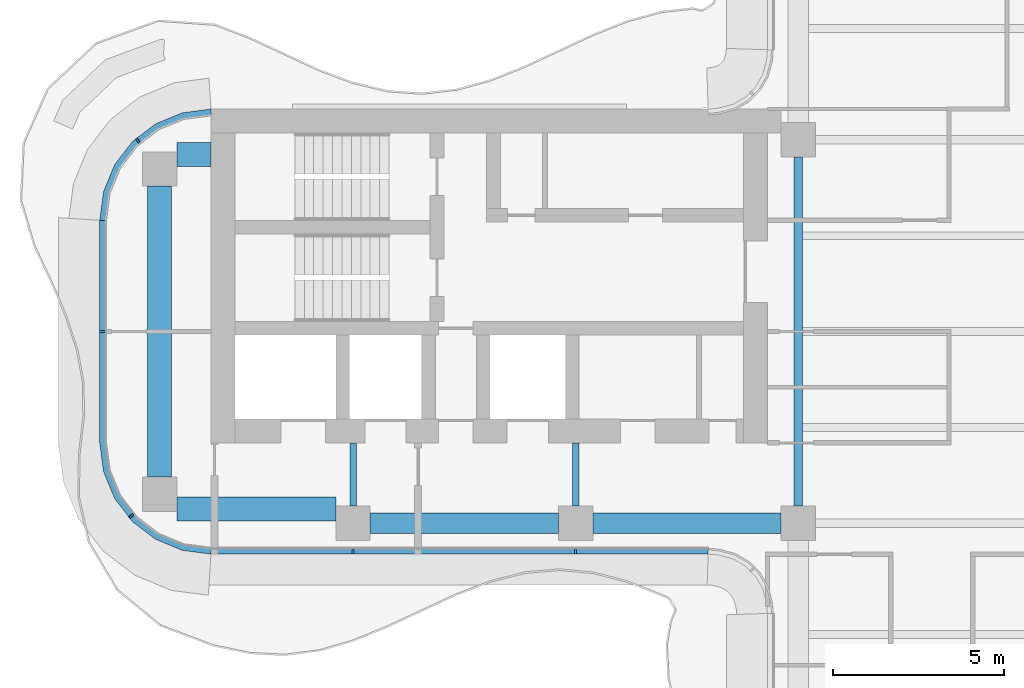
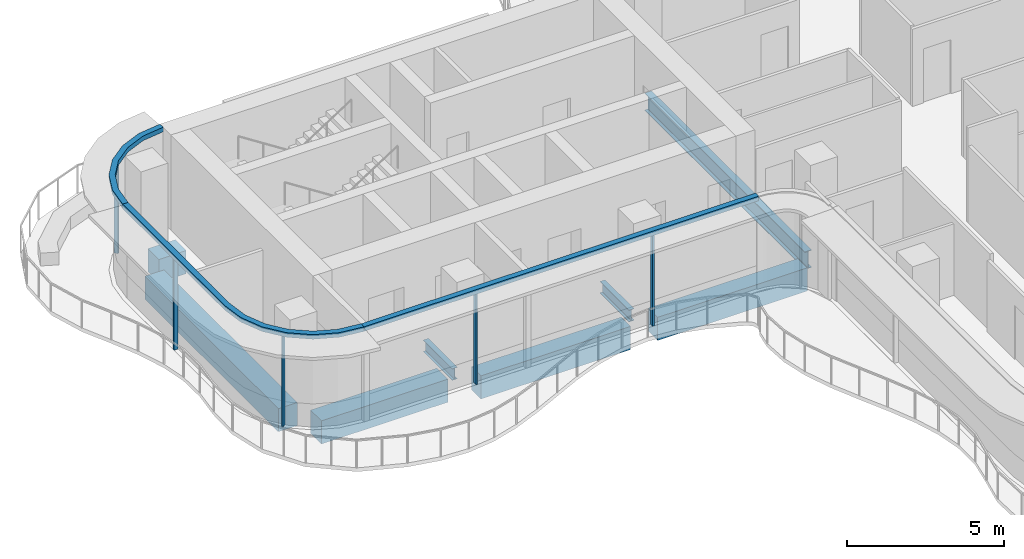
# One storey, part 3 of 17: 8 beams, 8 members, 3 elements without a shape of their own.
"""IFC4 building model written with IfcOpenShell, lengths in metres."""

from ifc_helpers import new_model, si_unit, direction, frame, origin, origin_2d, place, context, subcontext, project, spatial, polyline, rectangle, i_section, outline, extrude, source, transform, mapped, material, layer, layer_set, material_profile, profile_set, type_object, element, aggregate, save


model = new_model("IFC4")

# Units and contexts
model_context = context("Model", 3, precision=1e-05, world=origin(), true_north=direction((0.0, 1.0)))
body_context = subcontext(model_context, "Body", "Model", "MODEL_VIEW")
ifc_project = project(units=[si_unit("LENGTHUNIT", "METRE"), si_unit("AREAUNIT", "SQUARE_METRE"), si_unit("VOLUMEUNIT", "CUBIC_METRE"), si_unit("PLANEANGLEUNIT", "RADIAN"), si_unit("MASSUNIT", "GRAM", prefix="KILO")], contexts=[model_context])

# Site, building, storey
site_placement = place(None, origin())
site = spatial("IfcSite", under=ifc_project, at=site_placement, CompositionType="ELEMENT")
building_placement = place(site_placement, origin())
building = spatial("IfcBuilding", under=site, at=building_placement, Name="Trellis Farm Tower", CompositionType="ELEMENT")
storey_placement = place(building_placement, frame((0.0, 0.0, 283.300048828125)))
storey = spatial("IfcBuildingStorey", under=building, at=storey_placement, Name="L63", CompositionType="ELEMENT", Elevation=283.300048828125)

# Beams
ifc_material_1 = material(Name="Steel S355", Category="steel")
ifc_material_profile_1 = material_profile(ifc_material_1, i_section(OverallWidth=0.253662109375, OverallDepth=0.68359375, WebThickness=0.012451171875, FlangeThickness=0.021728515625, FilletRadius=0.01513671875, at=origin_2d()), Name="UB 686x254x140")
ifc_profile_set_1 = profile_set([ifc_material_profile_1], Name="Steel S355")
beam_type_1 = type_object("IfcBeamType", Name="UB 686x254x140", PredefinedType="BEAM", material=ifc_profile_set_1)
shared_shape_1 = source(origin(), body_context, "Body", "SweptSolid", [
    extrude(i_section(OverallWidth=0.253662109375, OverallDepth=0.68359375, WebThickness=0.012451171875, FlangeThickness=0.021728515625, FilletRadius=0.01513671875, at=origin_2d()), origin(), (0.0, 0.0, 1.0), 10.2001953125),
])
beam_1_placement = place(storey_placement, frame((-5.60009765625, -5.10009765625, -0.541748046875), z_axis=(0.0, 1.0, 0.0), x_axis=(-1.0, 0.0, 0.0)))
element("IfcBeam", 1, at=beam_1_placement, inside=storey, type_object=beam_type_1, Name="Girder", PredefinedType="BEAM", context=body_context, shape_type="MappedRepresentation", body=[
    mapped(shared_shape_1, transform((0.0, 0.0, 0.0))),
])
ifc_material_profile_2 = material_profile(ifc_material_1, i_section(OverallWidth=0.1904296875, OverallDepth=0.45703125, WebThickness=0.009033203125, FlangeThickness=0.014404296875, FilletRadius=0.01025390625, at=origin_2d()), Name="UB 457x191x74")
ifc_profile_set_2 = profile_set([ifc_material_profile_2], Name="Steel S355")
beam_type_2 = type_object("IfcBeamType", Name="UB 457x191x74", PredefinedType="BEAM", material=ifc_profile_set_2)
shared_shape_2 = source(origin(), body_context, "Body", "SweptSolid", [
    extrude(i_section(OverallWidth=0.1904296875, OverallDepth=0.45703125, WebThickness=0.009033203125, FlangeThickness=0.014404296875, FilletRadius=0.01025390625, at=origin_2d()), origin(), (0.0, 0.0, 1.0), 1.85009765625),
])
for number, where, z_axis, x_axis, name in (
    (2, (-18.60009765625, -5.10009765625, -0.428466796875), (0.0, 1.0, 0.0), (-1.0, 0.0, 0.0), "Girder"),
    (3, (-12.10009765625, -5.10009765625, -0.428466796875), (0.0, 1.0, 0.0), (-1.0, 0.0, 0.0), "Girder"),
):
    element("IfcBeam", number, at=place(storey_placement, frame(where, z_axis=z_axis, x_axis=x_axis)), inside=storey, type_object=beam_type_2, Name=name, PredefinedType="BEAM", context=body_context, shape_type="MappedRepresentation", body=[
        mapped(shared_shape_2, transform((0.0, 0.0, 0.0))),
    ])
ifc_material_2 = material(Name="Concrete C60/75", Category="concrete")
ifc_material_profile_3 = material_profile(ifc_material_2, rectangle(XDim=0.60009765625, YDim=0.89990234375, at=origin_2d()), Name="RC spandrel beam 600x900 C60/75")
ifc_profile_set_3 = profile_set([ifc_material_profile_3], Name="Concrete C60/75")
beam_type_3 = type_object("IfcBeamType", Name="RC spandrel beam 600x900 C60/75", PredefinedType="SPANDREL", material=ifc_profile_set_3)
shared_shape_3 = source(origin(), body_context, "Body", "SweptSolid", [
    extrude(rectangle(XDim=0.60009765625, YDim=0.89990234375, at=origin_2d()), origin(), (0.0, 0.0, 1.0), 5.5),
])
for number, where, z_axis, x_axis, name in (
    (4, (-18.10009765625, -5.60009765625, -0.650146484375), (1.0, 0.0, 0.0), (0.0, 1.0, 0.0), "Girder"),
    (5, (-11.60009765625, -5.60009765625, -0.650146484375), (1.0, 0.0, 0.0), (0.0, 1.0, 0.0), "Girder"),
):
    element("IfcBeam", number, at=place(storey_placement, frame(where, z_axis=z_axis, x_axis=x_axis)), inside=storey, type_object=beam_type_3, Name=name, PredefinedType="SPANDREL", context=body_context, shape_type="MappedRepresentation", body=[
        mapped(shared_shape_3, transform((0.0, 0.0, 0.0))),
    ])
ifc_material_profile_4 = material_profile(ifc_material_2, rectangle(XDim=0.699951171875, YDim=0.89990234375, at=origin_2d()), Name="RC spandrel beam 700x900 C60/75")
ifc_profile_set_4 = profile_set([ifc_material_profile_4], Name="Concrete C60/75")
beam_type_4 = type_object("IfcBeamType", Name="RC spandrel beam 700x900 C60/75", PredefinedType="SPANDREL", material=ifc_profile_set_4)
shared_shape_4 = source(origin(), body_context, "Body", "SweptSolid", [
    extrude(rectangle(XDim=0.699951171875, YDim=0.89990234375, at=origin_2d()), origin(), (0.0, 0.0, 1.0), 1.0),
])
beam_2_placement = place(storey_placement, frame((-23.75, 5.175048828125, -0.650146484375), z_axis=(1.0, 0.0, 0.0), x_axis=(0.0, 1.0, 0.0)))
element("IfcBeam", 6, at=beam_2_placement, inside=storey, type_object=beam_type_4, Name="Girder", PredefinedType="SPANDREL", context=body_context, shape_type="MappedRepresentation", body=[
    mapped(shared_shape_4, transform((0.0, 0.0, 0.0))),
])
shared_shape_5 = source(origin(), body_context, "Body", "SweptSolid", [
    extrude(rectangle(XDim=0.699951171875, YDim=0.89990234375, at=origin_2d()), origin(), (0.0, 0.0, 1.0), 4.64990234375),
])
beam_3_placement = place(storey_placement, frame((-23.75, -5.175048828125, -0.650146484375), z_axis=(1.0, 0.0, 0.0), x_axis=(0.0, 1.0, 0.0)))
element("IfcBeam", 7, at=beam_3_placement, inside=storey, type_object=beam_type_4, Name="Girder", PredefinedType="SPANDREL", context=body_context, shape_type="MappedRepresentation", body=[
    mapped(shared_shape_5, transform((0.0, 0.0, 0.0))),
])
shared_shape_6 = source(origin(), body_context, "Body", "SweptSolid", [
    extrude(rectangle(XDim=0.699951171875, YDim=0.89990234375, at=origin_2d()), origin(), (0.0, 0.0, 1.0), 8.5),
])
beam_4_placement = place(storey_placement, frame((-24.25, -4.25, -0.650146484375), z_axis=(0.0, 1.0, 0.0), x_axis=(-1.0, 0.0, 0.0)))
element("IfcBeam", 8, at=beam_4_placement, inside=storey, type_object=beam_type_4, Name="Girder", PredefinedType="SPANDREL", context=body_context, shape_type="MappedRepresentation", body=[
    mapped(shared_shape_6, transform((0.0, 0.0, 0.0))),
])

# Curtain wall, members
ifc_material_3 = material(Name="Aluminium and glass curtain wall", Category="aluminium")
ifc_layer_1 = layer(ifc_material_3, 0.18994140625)
ifc_layer_set_1 = layer_set([ifc_layer_1], Name="RIBBON CURTAIN WALL CW1")
curtain_wall_type = type_object("IfcCurtainWallType", Name="RIBBON CURTAIN WALL CW1", PredefinedType="NOTDEFINED", material=ifc_layer_set_1)
placement_1 = place(storey_placement, origin())
curtain_wall_1 = element("IfcCurtainWall", 9, at=placement_1, inside=storey, type_object=curtain_wall_type, Name="CW1 001", PredefinedType="NOTDEFINED")
ifc_material_4 = material(Name="Aluminium extrusion 6063-T6", Category="aluminium")
ifc_material_profile_5 = material_profile(ifc_material_4, rectangle(XDim=0.06005859375, YDim=0.14990234375, at=origin_2d()), Name="MULLION 60x150")
ifc_profile_set_5 = profile_set([ifc_material_profile_5], Name="Aluminium extrusion 6063-T6")
member_type_1 = type_object("IfcMemberType", Name="CW1 MULLION 60x150", PredefinedType="MULLION", material=ifc_profile_set_5)
shared_shape_7 = source(origin(), body_context, "Body", "SweptSolid", [
    extrude(rectangle(XDim=0.06005859375, YDim=0.14990234375, at=origin_2d()), origin(), (0.0, 0.0, 1.0), 3.52001953125),
])
member_1_placement = place(storey_placement, frame((-18.60009765625, -6.425048828125, 0.0), z_axis=(0.0, 0.0, 1.0), x_axis=(1.0, 0.0, 0.0)))
member_1 = element("IfcMember", 10, at=member_1_placement, type_object=member_type_1, Name="MU1 001-01", PredefinedType="MULLION", context=body_context, shape_type="MappedRepresentation", body=[
    mapped(shared_shape_7, transform((0.0, 0.0, 0.0))),
])
member_2_placement = place(storey_placement, frame((-12.10009765625, -6.425048828125, 0.0), z_axis=(0.0, 0.0, 1.0), x_axis=(1.0, 0.0, 0.0)))
member_2 = element("IfcMember", 11, at=member_2_placement, type_object=member_type_1, Name="MU1 001-02", PredefinedType="MULLION", context=body_context, shape_type="MappedRepresentation", body=[
    mapped(shared_shape_7, transform((0.0, 0.0, 0.0))),
])

# Curtain wall, member
curtain_wall_2 = element("IfcCurtainWall", 12, at=placement_1, inside=storey, type_object=curtain_wall_type, Name="CW1 012", PredefinedType="NOTDEFINED")
member_3_placement = place(storey_placement, frame((-24.885498046875, 5.578369140625, 0.0), z_axis=(0.0, 0.0, 1.0), x_axis=(-0.793353340291, -0.608761429009, 0.0)))
member_3 = element("IfcMember", 13, at=member_3_placement, type_object=member_type_1, Name="MU1 012-01", PredefinedType="MULLION", context=body_context, shape_type="MappedRepresentation", body=[
    mapped(shared_shape_7, transform((0.0, 0.0, 0.0))),
])

# Curtain wall, members
curtain_wall_3 = element("IfcCurtainWall", 14, at=placement_1, inside=storey, type_object=curtain_wall_type, Name="CW1 013", PredefinedType="NOTDEFINED")
member_4_placement = place(storey_placement, frame((-25.925048828125, 0.0, 0.0), z_axis=(0.0, 0.0, 1.0), x_axis=(0.0, -1.0, 0.0)))
member_4 = element("IfcMember", 15, at=member_4_placement, type_object=member_type_1, Name="MU1 013-01", PredefinedType="MULLION", context=body_context, shape_type="MappedRepresentation", body=[
    mapped(shared_shape_7, transform((0.0, 0.0, 0.0))),
])
member_5_placement = place(storey_placement, frame((-25.078369140625, -5.385498046875, 0.0), z_axis=(0.0, 0.0, 1.0), x_axis=(0.608761429009, -0.793353340291, 0.0)))
member_5 = element("IfcMember", 16, at=member_5_placement, type_object=member_type_1, Name="MU1 013-02", PredefinedType="MULLION", context=body_context, shape_type="MappedRepresentation", body=[
    mapped(shared_shape_7, transform((0.0, 0.0, 0.0))),
])

# Member
ifc_layer_2 = layer(ifc_material_4, 0.199951171875)
ifc_layer_set_2 = layer_set([ifc_layer_2], Name="Aluminium extrusion 6063-T6")
member_type_2 = type_object("IfcMemberType", Name="CW1 TRANSOM 200x180", PredefinedType="USERDEFINED", material=ifc_layer_set_2)
shared_shape_8 = source(origin(), body_context, "Body", "SweptSolid", [
    extrude(outline(polyline([(-22.75, -6.5), (-8.2314453125, -6.5), (-8.224853515625, -6.300048828125), (-22.73681640625, -6.300048828125), (-22.75, -6.5)])), origin(), (0.0, 0.0, 1.0), 0.179931640625),
])
placement_2 = place(storey_placement, frame((0.0, 0.0, 3.52001953125)))
member_6 = element("IfcMember", 17, at=placement_2, type_object=member_type_2, Name="TR1 001", ObjectType="TRANSOM", PredefinedType="USERDEFINED", context=body_context, shape_type="MappedRepresentation", body=[
    mapped(shared_shape_8, transform((0.0, 0.0, 0.0))),
])

aggregate(curtain_wall_1, [member_1, member_2, member_6])

shared_shape_9 = source(origin(), body_context, "Body", "SweptSolid", [
    extrude(outline(polyline([(-22.75, 6.5), (-23.591064453125, 6.38916015625), (-24.375, 6.064697265625), (-25.048095703125, 5.548095703125), (-25.564697265625, 4.875), (-25.88916015625, 4.091064453125), (-26.0, 3.25), (-25.800048828125, 3.23681640625), (-25.6943359375, 4.0390625), (-25.389892578125, 4.774169921875), (-24.905517578125, 5.405517578125), (-24.274169921875, 5.889892578125), (-23.5390625, 6.1943359375), (-22.73681640625, 6.300048828125), (-22.75, 6.5)])), origin(), (0.0, 0.0, 1.0), 0.179931640625),
])
member_7 = element("IfcMember", 18, at=placement_2, type_object=member_type_2, Name="TR1 012", ObjectType="TRANSOM", PredefinedType="USERDEFINED", context=body_context, shape_type="MappedRepresentation", body=[
    mapped(shared_shape_9, transform((0.0, 0.0, 0.0))),
])

aggregate(curtain_wall_2, [member_3, member_7])

shared_shape_10 = source(origin(), body_context, "Body", "SweptSolid", [
    extrude(outline(polyline([(-26.0, 3.25), (-26.0, -3.25), (-25.88916015625, -4.091064453125), (-25.564697265625, -4.875), (-25.048095703125, -5.548095703125), (-24.375, -6.064697265625), (-23.591064453125, -6.38916015625), (-22.75, -6.5), (-22.73681640625, -6.300048828125), (-23.5390625, -6.1943359375), (-24.274169921875, -5.889892578125), (-24.905517578125, -5.405517578125), (-25.389892578125, -4.774169921875), (-25.6943359375, -4.0390625), (-25.800048828125, -3.23681640625), (-25.800048828125, 3.23681640625), (-26.0, 3.25)])), origin(), (0.0, 0.0, 1.0), 0.179931640625),
])
member_8 = element("IfcMember", 19, at=placement_2, type_object=member_type_2, Name="TR1 013", ObjectType="TRANSOM", PredefinedType="USERDEFINED", context=body_context, shape_type="MappedRepresentation", body=[
    mapped(shared_shape_10, transform((0.0, 0.0, 0.0))),
])

aggregate(curtain_wall_3, [member_4, member_5, member_8])

save(model, "model.ifc")
